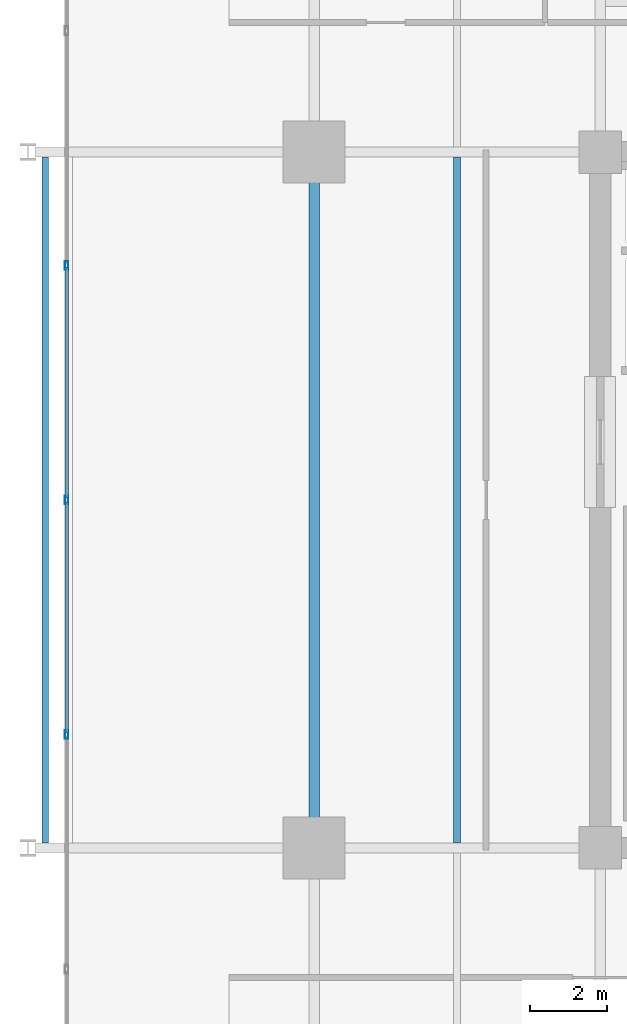
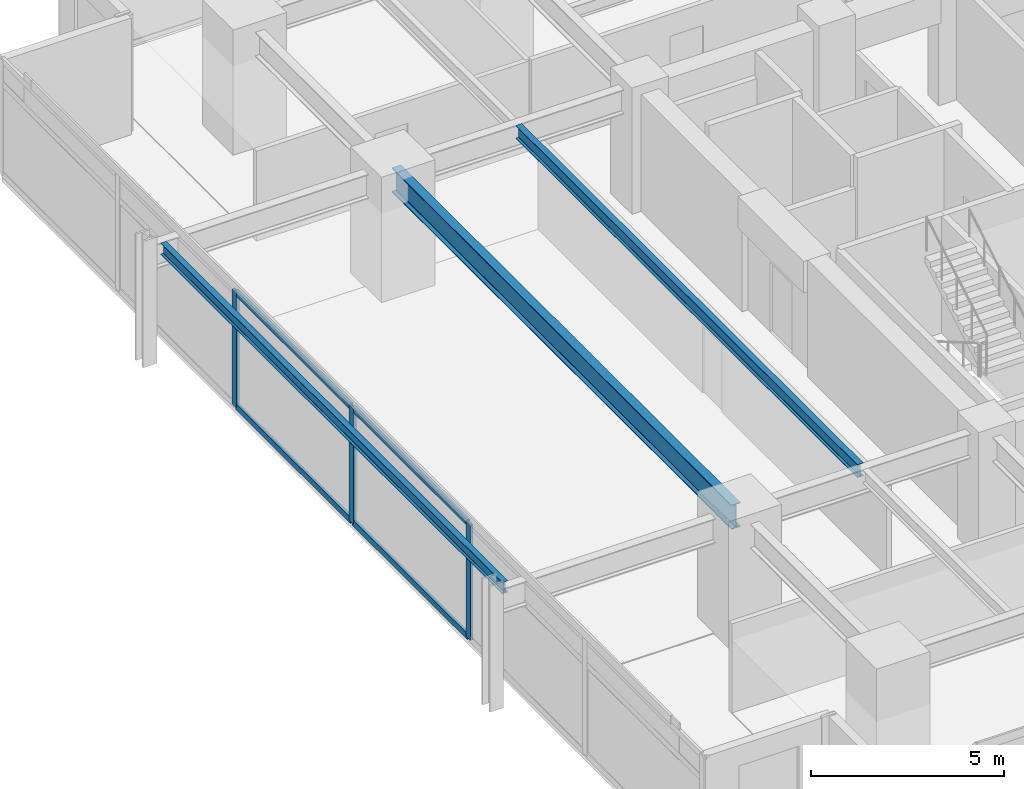
# One storey, part 4 of 22: 9 members, 3 beams, 1 element without a shape of its own.
"""IFC4 building model written with IfcOpenShell, lengths in metres."""

from ifc_helpers import new_model, si_unit, direction, frame, origin, origin_2d, place, context, subcontext, project, spatial, hollow_rectangle, i_section, extrude, material, material_profile, profile_set, type_object, element, aggregate, save


model = new_model("IFC4")

# Units and contexts
model_context = context("Model", 3, precision=1e-05, world=origin(), true_north=direction((0.0, 1.0)))
body_context = subcontext(model_context, "Body", "Model", "MODEL_VIEW")
ifc_project = project(units=[si_unit("LENGTHUNIT", "METRE"), si_unit("AREAUNIT", "SQUARE_METRE"), si_unit("VOLUMEUNIT", "CUBIC_METRE"), si_unit("PLANEANGLEUNIT", "RADIAN"), si_unit("MASSUNIT", "GRAM", prefix="KILO")], contexts=[model_context])

# Site, building, storey
site_placement = place(None, origin())
site = spatial("IfcSite", under=ifc_project, at=site_placement, CompositionType="ELEMENT")
building_placement = place(site_placement, origin())
building = spatial("IfcBuilding", under=site, at=building_placement, Name="Kovane Verandah Tower", CompositionType="ELEMENT")
storey_placement = place(building_placement, frame((0.0, 0.0, 180.39990234375)))
storey = spatial("IfcBuildingStorey", under=building, at=storey_placement, Name="L42", CompositionType="ELEMENT", Elevation=180.39990234375)

# Beam
ifc_material_1 = material(Name="Steel S355", Category="steel")
ifc_material_profile_1 = material_profile(ifc_material_1, i_section(OverallWidth=0.26806640625, OverallDepth=0.769775390625, WebThickness=0.015625, FlangeThickness=0.025390625, FilletRadius=0.0166015625, at=origin_2d()), Name="UB762x267x197")
ifc_profile_set_1 = profile_set([ifc_material_profile_1], Name="Steel S355")
beam_type_1 = type_object("IfcBeamType", Name="BM-UB762x197", PredefinedType="BEAM", material=ifc_profile_set_1)
beam_1_placement = place(storey_placement, frame((21.60009765625, 18.679931640625, 3.315185546875), z_axis=(0.0, 1.0, 0.0), x_axis=(-1.0, 0.0, 0.0)))
element("IfcBeam", 1, at=beam_1_placement, inside=storey, type_object=beam_type_1, Name="L42 Primary Tower Girder G-RW2", PredefinedType="BEAM", context=body_context, shape_type="SweptSolid", body=[
    extrude(i_section(OverallWidth=0.26806640625, OverallDepth=0.769775390625, WebThickness=0.015625, FlangeThickness=0.025390625, FilletRadius=0.0166015625, at=origin_2d()), origin(), (0.0, 0.0, 1.0), 17.64013671875),
])

# Curtain wall, members
ifc_material_2 = material(Name="Champagne Anodised Aluminium Frame with Low-E Clear Laminated Glass", Category="aluminium")
curtain_wall_type = type_object("IfcCurtainWallType", Name="CW-SYS-03-MID", PredefinedType="NOTDEFINED", material=ifc_material_2)
curtain_wall_placement = place(storey_placement, origin())
curtain_wall = element("IfcCurtainWall", 2, at=curtain_wall_placement, inside=storey, type_object=curtain_wall_type, Name="L42 W Unitised Curtain Wall", PredefinedType="NOTDEFINED")
ifc_material_3 = material(Name="Champagne Anodised Aluminium 6063-T6", Category="aluminium")
ifc_material_profile_2 = material_profile(ifc_material_3, hollow_rectangle(XDim=0.0849609375, YDim=0.22998046875, WallThickness=0.00390625, at=origin_2d()), Name="AL85x230x4")
ifc_profile_set_2 = profile_set([ifc_material_profile_2], Name="Champagne Anodised Aluminium 6063-T6")
member_type_1 = type_object("IfcMemberType", Name="CW-MUL-85x230", PredefinedType="MULLION", material=ifc_profile_set_2)
member_1_placement = place(storey_placement, frame((15.199951171875, 33.566650390625, 0.02001953125), z_axis=(0.0, 0.0, 1.0), x_axis=(-1.0, 0.0, 0.0)))
member_1 = element("IfcMember", 3, at=member_1_placement, type_object=member_type_1, Name="L42 W Unitised Curtain Wall Mullion 3", PredefinedType="MULLION", context=body_context, shape_type="SweptSolid", body=[
    extrude(hollow_rectangle(XDim=0.0849609375, YDim=0.22998046875, WallThickness=0.00390625, at=origin_2d()), origin(), (0.0, 0.0, 1.0), 3.66015625),
])
member_2_placement = place(storey_placement, frame((15.199951171875, 27.5, 0.02001953125), z_axis=(0.0, 0.0, 1.0), x_axis=(-1.0, 0.0, 0.0)))
member_2 = element("IfcMember", 4, at=member_2_placement, type_object=member_type_1, Name="L42 W Unitised Curtain Wall Mullion 4", PredefinedType="MULLION", context=body_context, shape_type="SweptSolid", body=[
    extrude(hollow_rectangle(XDim=0.0849609375, YDim=0.22998046875, WallThickness=0.00390625, at=origin_2d()), origin(), (0.0, 0.0, 1.0), 3.66015625),
])
member_3_placement = place(storey_placement, frame((15.199951171875, 21.433349609375, 0.02001953125), z_axis=(0.0, 0.0, 1.0), x_axis=(-1.0, 0.0, 0.0)))
member_3 = element("IfcMember", 5, at=member_3_placement, type_object=member_type_1, Name="L42 W Unitised Curtain Wall Mullion 5", PredefinedType="MULLION", context=body_context, shape_type="SweptSolid", body=[
    extrude(hollow_rectangle(XDim=0.0849609375, YDim=0.22998046875, WallThickness=0.00390625, at=origin_2d()), origin(), (0.0, 0.0, 1.0), 3.66015625),
])
ifc_material_profile_3 = material_profile(ifc_material_3, hollow_rectangle(XDim=0.0849609375, YDim=0.18994140625, WallThickness=0.00390625, at=origin_2d()), Name="AL85x190x4")
ifc_profile_set_3 = profile_set([ifc_material_profile_3], Name="Champagne Anodised Aluminium 6063-T6")
member_type_2 = type_object("IfcMemberType", Name="CW-TRN-85x190", PredefinedType="USERDEFINED", material=ifc_profile_set_3)
member_4_placement = place(storey_placement, frame((15.199951171875, 33.5166015625, 0.050048828125), z_axis=(0.0, -1.0, 0.0), x_axis=(1.0, 0.0, 0.0)))
member_4 = element("IfcMember", 6, at=member_4_placement, type_object=member_type_2, Name="L42 W Unitised Curtain Wall Transom TB Bay 3", ObjectType="TRANSOM", PredefinedType="USERDEFINED", context=body_context, shape_type="SweptSolid", body=[
    extrude(hollow_rectangle(XDim=0.0849609375, YDim=0.18994140625, WallThickness=0.00390625, at=origin_2d()), origin(), (0.0, 0.0, 1.0), 5.966552734375),
])
member_5_placement = place(storey_placement, frame((15.199951171875, 33.5166015625, 2.920166015625), z_axis=(0.0, -1.0, 0.0), x_axis=(1.0, 0.0, 0.0)))
member_5 = element("IfcMember", 7, at=member_5_placement, type_object=member_type_2, Name="L42 W Unitised Curtain Wall Transom TM Bay 3", ObjectType="TRANSOM", PredefinedType="USERDEFINED", context=body_context, shape_type="SweptSolid", body=[
    extrude(hollow_rectangle(XDim=0.0849609375, YDim=0.18994140625, WallThickness=0.00390625, at=origin_2d()), origin(), (0.0, 0.0, 1.0), 5.966552734375),
])
member_6_placement = place(storey_placement, frame((15.199951171875, 33.5166015625, 3.650146484375), z_axis=(0.0, -1.0, 0.0), x_axis=(1.0, 0.0, 0.0)))
member_6 = element("IfcMember", 8, at=member_6_placement, type_object=member_type_2, Name="L42 W Unitised Curtain Wall Transom TT Bay 3", ObjectType="TRANSOM", PredefinedType="USERDEFINED", context=body_context, shape_type="SweptSolid", body=[
    extrude(hollow_rectangle(XDim=0.0849609375, YDim=0.18994140625, WallThickness=0.00390625, at=origin_2d()), origin(), (0.0, 0.0, 1.0), 5.966552734375),
])
member_7_placement = place(storey_placement, frame((15.199951171875, 27.449951171875, 0.050048828125), z_axis=(0.0, -1.0, 0.0), x_axis=(1.0, 0.0, 0.0)))
member_7 = element("IfcMember", 9, at=member_7_placement, type_object=member_type_2, Name="L42 W Unitised Curtain Wall Transom TB Bay 4", ObjectType="TRANSOM", PredefinedType="USERDEFINED", context=body_context, shape_type="SweptSolid", body=[
    extrude(hollow_rectangle(XDim=0.0849609375, YDim=0.18994140625, WallThickness=0.00390625, at=origin_2d()), origin(), (0.0, 0.0, 1.0), 5.966552734375),
])
member_8_placement = place(storey_placement, frame((15.199951171875, 27.449951171875, 2.920166015625), z_axis=(0.0, -1.0, 0.0), x_axis=(1.0, 0.0, 0.0)))
member_8 = element("IfcMember", 10, at=member_8_placement, type_object=member_type_2, Name="L42 W Unitised Curtain Wall Transom TM Bay 4", ObjectType="TRANSOM", PredefinedType="USERDEFINED", context=body_context, shape_type="SweptSolid", body=[
    extrude(hollow_rectangle(XDim=0.0849609375, YDim=0.18994140625, WallThickness=0.00390625, at=origin_2d()), origin(), (0.0, 0.0, 1.0), 5.966552734375),
])
member_9_placement = place(storey_placement, frame((15.199951171875, 27.449951171875, 3.650146484375), z_axis=(0.0, -1.0, 0.0), x_axis=(1.0, 0.0, 0.0)))
member_9 = element("IfcMember", 11, at=member_9_placement, type_object=member_type_2, Name="L42 W Unitised Curtain Wall Transom TT Bay 4", ObjectType="TRANSOM", PredefinedType="USERDEFINED", context=body_context, shape_type="SweptSolid", body=[
    extrude(hollow_rectangle(XDim=0.0849609375, YDim=0.18994140625, WallThickness=0.00390625, at=origin_2d()), origin(), (0.0, 0.0, 1.0), 5.966552734375),
])
aggregate(curtain_wall, [member_1, member_2, member_3, member_4, member_5, member_6, member_7, member_8, member_9])

# Beams
ifc_material_profile_4 = material_profile(ifc_material_1, i_section(OverallWidth=0.179443359375, OverallDepth=0.412841796875, WebThickness=0.009521484375, FlangeThickness=0.01611328125, FilletRadius=0.01025390625, at=origin_2d()), Name="UB406x178x74")
ifc_profile_set_4 = profile_set([ifc_material_profile_4], Name="Steel S355")
beam_type_2 = type_object("IfcBeamType", Name="JST-UB406x74", PredefinedType="JOIST", material=ifc_profile_set_4)
beam_2_placement = place(storey_placement, frame((25.300048828125, 18.632080078125, 3.49365234375), z_axis=(0.0, 1.0, 0.0), x_axis=(-1.0, 0.0, 0.0)))
element("IfcBeam", 12, at=beam_2_placement, inside=storey, type_object=beam_type_2, Name="L42 Secondary Composite Joist J-W1", PredefinedType="JOIST", context=body_context, shape_type="SweptSolid", body=[
    extrude(i_section(OverallWidth=0.179443359375, OverallDepth=0.412841796875, WebThickness=0.009521484375, FlangeThickness=0.01611328125, FilletRadius=0.01025390625, at=origin_2d()), origin(), (0.0, 0.0, 1.0), 17.73583984375),
])
ifc_material_profile_5 = material_profile(ifc_material_1, i_section(OverallWidth=0.173095703125, OverallDepth=0.36328125, WebThickness=0.009033203125, FlangeThickness=0.015625, FilletRadius=0.01025390625, at=origin_2d()), Name="UB356x171x67")
ifc_profile_set_5 = profile_set([ifc_material_profile_5], Name="Steel S355")
beam_type_3 = type_object("IfcBeamType", Name="SPD-UB356x67", PredefinedType="USERDEFINED", material=ifc_profile_set_5)
beam_3_placement = place(storey_placement, frame((14.64990234375, 18.632080078125, 3.518310546875), z_axis=(0.0, 1.0, 0.0), x_axis=(-1.0, 0.0, 0.0)))
element("IfcBeam", 13, at=beam_3_placement, inside=storey, type_object=beam_type_3, Name="L42 West Planter Edge Spandrel", ObjectType="SPANDREL", PredefinedType="USERDEFINED", context=body_context, shape_type="SweptSolid", body=[
    extrude(i_section(OverallWidth=0.173095703125, OverallDepth=0.36328125, WebThickness=0.009033203125, FlangeThickness=0.015625, FilletRadius=0.01025390625, at=origin_2d()), origin(), (0.0, 0.0, 1.0), 17.73583984375),
])

save(model, "model.ifc")
